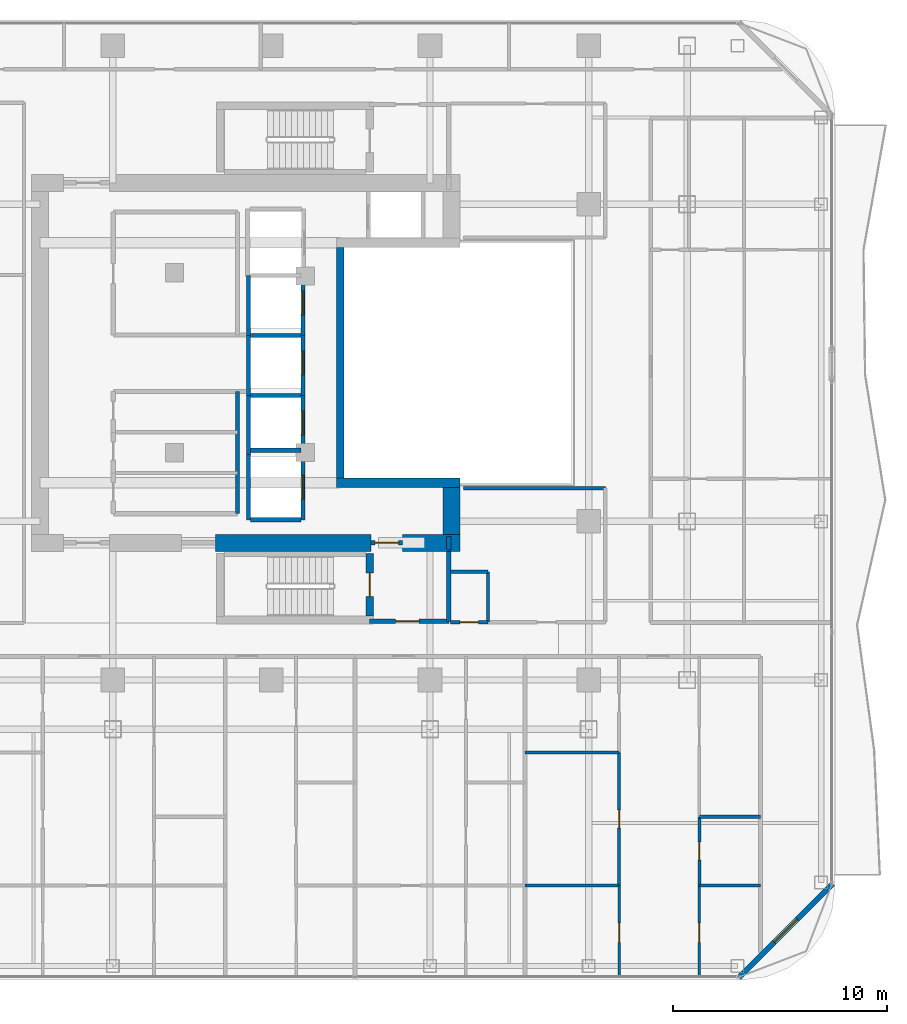
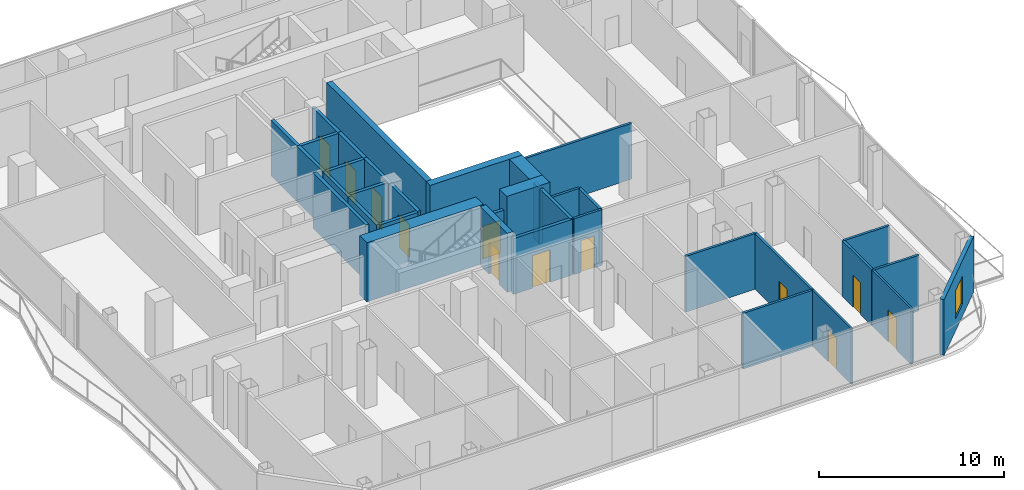
# One storey, part 21 of 26: 36 walls, 12 doors, 1 window, 13 openings.
"""IFC4 building model written with IfcOpenShell, lengths in metres."""

from ifc_helpers import new_model, si_unit, direction, frame, frame_2d, origin, place, context, subcontext, project, spatial, rectangle, extrude, material, layer, layer_set, type_object, element, fill, save


model = new_model("IFC4")

# Units and contexts
model_context = context("Model", 3, precision=1e-05, world=origin(), true_north=direction((0.0, 1.0)))
body_context = subcontext(model_context, "Body", "Model", "MODEL_VIEW")
ifc_project = project(units=[si_unit("LENGTHUNIT", "METRE"), si_unit("AREAUNIT", "SQUARE_METRE"), si_unit("VOLUMEUNIT", "CUBIC_METRE"), si_unit("PLANEANGLEUNIT", "RADIAN"), si_unit("MASSUNIT", "GRAM", prefix="KILO")], contexts=[model_context])

# Site, building, storey
site_placement = place(None, origin())
site = spatial("IfcSite", under=ifc_project, at=site_placement, CompositionType="ELEMENT")
building_placement = place(site_placement, origin())
building = spatial("IfcBuilding", under=site, at=building_placement, Name="Khorvyn Point Tower", CompositionType="ELEMENT")
storey_placement = place(building_placement, frame((0.0, 0.0, 223.5)))
storey = spatial("IfcBuildingStorey", under=building, at=storey_placement, Name="L55", CompositionType="ELEMENT", Elevation=223.5)

# Wall, opening, window
ifc_material_1 = material(Name="Pale anodised aluminium rainscreen on steel stud", Category="steel")
ifc_layer_1 = layer(ifc_material_1, 0.239990234375)
ifc_layer_set_1 = layer_set([ifc_layer_1], Name="Anodised Aluminium Insulated Corner Spandrel Wall 240")
wall_type_1 = type_object("IfcWallType", Name="Anodised Aluminium Insulated Corner Spandrel Wall 240", PredefinedType="SOLIDWALL", material=ifc_layer_set_1)
wall_1_placement = place(storey_placement, frame((26.1923828125, -24.3076171875, 0.0), z_axis=(0.0, 0.0, 1.0), x_axis=(-0.707106781187, -0.707106781187, 0.0)))
wall_1 = element("IfcWall", 1, at=wall_1_placement, inside=storey, type_object=wall_type_1, Name="L55 Rounded Corner Wall SE", PredefinedType="SOLIDWALL", context=body_context, shape_type="SweptSolid", body=[
    extrude(rectangle(XDim=6.200927734375, YDim=0.239990234375, at=frame_2d((3.1005859375, 0.0))), origin(), (0.0, 0.0, 1.0), 3.679931640625),
])
opening_1_placement = place(wall_1_placement, frame((2.3505859375, 0.0, 0.800048828125)))
opening_1 = element("IfcOpeningElement", 2, at=opening_1_placement, cuts=wall_1, Name="Opening WN-1518", PredefinedType="OPENING", context=body_context, shape_type="SweptSolid", body=[
    extrude(rectangle(XDim=1.5, YDim=1.85009765625, at=frame_2d((0.75, 0.925048828125))), frame((0.0, 0.1298828125, 0.0), z_axis=(0.0, -1.0, 0.0), x_axis=(1.0, 0.0, 0.0)), (0.0, 0.0, 1.0), 0.260009765625),
])
ifc_material_2 = material(Name="Anodised aluminium 6063-T6 and laminated Low-E glass", Category="aluminium")
window_type = type_object("IfcWindowType", Name="Anodised Aluminium Rounded-Corner Panoramic Window 1500x1850", PartitioningType="SINGLE_PANEL", PredefinedType="WINDOW", material=ifc_material_2)
window_placement = place(opening_1_placement, origin())
window = element("IfcWindow", 3, at=window_placement, inside=storey, type_object=window_type, Name="L55 Corner Panoramic Window SE", OverallHeight=1.85009765625, OverallWidth=1.5, PartitioningType="SINGLE_PANEL", PredefinedType="WINDOW", context=body_context, shape_type="SweptSolid", body=[
    extrude(rectangle(XDim=1.5, YDim=1.85009765625, at=frame_2d((0.75, 0.925048828125))), frame((0.0, 0.030029296875, 0.0), z_axis=(0.0, -1.0, 0.0), x_axis=(1.0, 0.0, 0.0)), (0.0, 0.0, 1.0), 0.06005859375),
])
fill(opening_1, window)

# Wall
ifc_material_3 = material(Name="Concrete C40/50", Category="concrete")
ifc_layer_2 = layer(ifc_material_3, 0.449951171875)
ifc_layer_set_2 = layer_set([ifc_layer_2], Name="Concrete C40/50 Core Shear Wall 450")
wall_type_2 = type_object("IfcWallType", Name="Concrete C40/50 Core Shear Wall 450", PredefinedType="SHEAR", material=ifc_layer_set_2)
wall_2_placement = place(storey_placement, frame((3.044921875, -5.60009765625, 0.0), z_axis=(0.0, 0.0, 1.0), x_axis=(1.0, 0.0, 0.0)))
element("IfcWall", 4, at=wall_2_placement, inside=storey, type_object=wall_type_2, Name="Wall", PredefinedType="SHEAR", context=body_context, shape_type="SweptSolid", body=[
    extrude(rectangle(XDim=5.755126953125, YDim=0.449951171875, at=frame_2d((2.87744140625, 0.0))), origin(), (0.0, 0.0, 1.0), 3.89990234375),
])

# Wall, opening, door
ifc_layer_3 = layer(ifc_material_3, 0.199951171875)
ifc_layer_set_3 = layer_set([ifc_layer_3], Name="Concrete C40/50 Fire-Lobby Compartment Wall 200")
wall_type_3 = type_object("IfcWallType", Name="Concrete C40/50 Fire-Lobby Compartment Wall 200", PredefinedType="SOLIDWALL", material=ifc_layer_set_3)
wall_3_placement = place(storey_placement, frame((4.580078125, -12.06005859375, 0.0), z_axis=(0.0, 0.0, 1.0), x_axis=(1.0, 0.0, 0.0)))
wall_3 = element("IfcWall", 5, at=wall_3_placement, inside=storey, type_object=wall_type_3, Name="Wall", PredefinedType="SOLIDWALL", context=body_context, shape_type="SweptSolid", body=[
    extrude(rectangle(XDim=3.699951171875, YDim=0.199951171875, at=frame_2d((1.85009765625, 0.0))), origin(), (0.0, 0.0, 1.0), 3.679931640625),
])
opening_2_placement = place(wall_3_placement, frame((1.21240234375, 0.0, 0.0)))
opening_2 = element("IfcOpeningElement", 6, at=opening_2_placement, cuts=wall_3, Name="Opening ID-FL90", PredefinedType="OPENING", context=body_context, shape_type="SweptSolid", body=[
    extrude(rectangle(XDim=1.10009765625, YDim=2.14990234375, at=frame_2d((0.550048828125, 1.074951171875))), frame((0.0, 0.10986328125, 0.0), z_axis=(0.0, -1.0, 0.0), x_axis=(1.0, 0.0, 0.0)), (0.0, 0.0, 1.0), 0.219970703125),
])
ifc_material_4 = material(Name="Galvanised powder-coated steel", Category="steel")
door_type_1 = type_object("IfcDoorType", Name="Fire-Rated Steel Lobby and Stair Door 1100x2150", OperationType="NOTDEFINED", PredefinedType="DOOR", material=ifc_material_4)
door_1_placement = place(opening_2_placement, origin())
door_1 = element("IfcDoor", 7, at=door_1_placement, inside=storey, type_object=door_type_1, Name="Door", OperationType="SINGLE_SWING_LEFT", OverallHeight=2.14990234375, OverallWidth=1.10009765625, PredefinedType="DOOR", context=body_context, shape_type="SweptSolid", body=[
    extrude(rectangle(XDim=1.10009765625, YDim=2.14990234375, at=frame_2d((0.550048828125, 1.074951171875))), frame((0.0, 0.02490234375, 0.0), z_axis=(0.0, -1.0, 0.0), x_axis=(1.0, 0.0, 0.0)), (0.0, 0.0, 1.0), 0.050048828125),
])
fill(opening_2, door_1)

wall_4_placement = place(storey_placement, frame((4.64990234375, -8.39990234375, 0.0), z_axis=(0.0, 0.0, 1.0), x_axis=(1.0, 0.0, 0.0)))
wall_4 = element("IfcWall", 8, at=wall_4_placement, inside=storey, type_object=wall_type_3, Name="Wall", PredefinedType="SOLIDWALL", context=body_context, shape_type="SweptSolid", body=[
    extrude(rectangle(XDim=1.47021484375, YDim=0.199951171875, at=frame_2d((0.735107421875, 0.0))), origin(), (0.0, 0.0, 1.0), 2.820068359375),
])
opening_3_placement = place(wall_4_placement, frame((0.18505859375, 0.0, 0.0)))
opening_3 = element("IfcOpeningElement", 9, at=opening_3_placement, cuts=wall_4, Name="Opening ID-FL90", PredefinedType="OPENING", context=body_context, shape_type="SweptSolid", body=[
    extrude(rectangle(XDim=1.10009765625, YDim=2.14990234375, at=frame_2d((0.550048828125, 1.074951171875))), frame((0.0, 0.10986328125, 0.0), z_axis=(0.0, -1.0, 0.0), x_axis=(1.0, 0.0, 0.0)), (0.0, 0.0, 1.0), 0.219970703125),
])
door_2_placement = place(opening_3_placement, origin())
door_2 = element("IfcDoor", 10, at=door_2_placement, inside=storey, type_object=door_type_1, Name="Door", OperationType="SINGLE_SWING_RIGHT", OverallHeight=2.14990234375, OverallWidth=1.10009765625, PredefinedType="DOOR", context=body_context, shape_type="SweptSolid", body=[
    extrude(rectangle(XDim=1.10009765625, YDim=2.14990234375, at=frame_2d((0.550048828125, 1.074951171875))), frame((0.0, 0.02490234375, 0.0), z_axis=(0.0, -1.0, 0.0), x_axis=(1.0, 0.0, 0.0)), (0.0, 0.0, 1.0), 0.050048828125),
])
fill(opening_3, door_2)

# Walls
wall_5_placement = place(storey_placement, frame((8.280029296875, -12.06005859375, 0.0), z_axis=(0.0, 0.0, 1.0), x_axis=(0.0, 1.0, 0.0)))
element("IfcWall", 11, at=wall_5_placement, inside=storey, type_object=wall_type_3, Name="Wall", PredefinedType="SOLIDWALL", context=body_context, shape_type="SweptSolid", body=[
    extrude(rectangle(XDim=3.260009765625, YDim=0.199951171875, at=frame_2d((1.6298828125, 0.0))), origin(), (0.0, 0.0, 1.0), 3.679931640625),
])
wall_6_placement = place(storey_placement, frame((-1.580078125, -7.0400390625, 0.0), z_axis=(0.0, 0.0, 1.0), x_axis=(0.0, 1.0, 0.0)))
element("IfcWall", 12, at=wall_6_placement, inside=storey, type_object=wall_type_3, Name="Wall", PredefinedType="SOLIDWALL", context=body_context, shape_type="SweptSolid", body=[
    extrude(rectangle(XDim=5.699951171875, YDim=0.199951171875, at=frame_2d((2.85009765625, 0.0))), origin(), (0.0, 0.0, 1.0), 3.679931640625),
])
wall_7_placement = place(storey_placement, frame((8.280029296875, -8.72509765625, 0.0), z_axis=(0.0, 0.0, 1.0), x_axis=(0.0, 1.0, 0.0)))
element("IfcWall", 13, at=wall_7_placement, inside=storey, type_object=wall_type_3, Name="Wall", PredefinedType="SOLIDWALL", context=body_context, shape_type="SweptSolid", body=[
    extrude(rectangle(XDim=0.625, YDim=0.199951171875, at=frame_2d((0.3125, 0.0))), origin(), (0.0, 0.0, 1.0), 3.679931640625),
])
ifc_layer_4 = layer(ifc_material_3, 0.35009765625)
ifc_layer_set_4 = layer_set([ifc_layer_4], Name="Concrete C40/50 Stair Shaft Structural Wall 350")
wall_type_4 = type_object("IfcWallType", Name="Concrete C40/50 Stair Shaft Structural Wall 350", PredefinedType="SHEAR", material=ifc_layer_set_4)
wall_8_placement = place(storey_placement, frame((3.219970703125, -5.375, 0.0), z_axis=(0.0, 0.0, 1.0), x_axis=(0.0, 1.0, 0.0)))
element("IfcWall", 14, at=wall_8_placement, inside=storey, type_object=wall_type_4, Name="Wall", PredefinedType="SHEAR", context=body_context, shape_type="SweptSolid", body=[
    extrude(rectangle(XDim=10.75, YDim=0.35009765625, at=frame_2d((5.375, 0.0))), origin(), (0.0, 0.0, 1.0), 3.89990234375),
])

# Wall, opening, door
wall_9_placement = place(storey_placement, frame((4.580078125, -8.89990234375, 0.0), z_axis=(0.0, 0.0, 1.0), x_axis=(0.0, -1.0, 0.0)))
wall_9 = element("IfcWall", 15, at=wall_9_placement, inside=storey, type_object=wall_type_4, Name="L55 ST-01 East Landing Door Wall", PredefinedType="SHEAR", context=body_context, shape_type="SweptSolid", body=[
    extrude(rectangle(XDim=2.925048828125, YDim=0.35009765625, at=frame_2d((1.46240234375, 0.0))), origin(), (0.0, 0.0, 1.0), 3.89990234375),
])
opening_4_placement = place(wall_9_placement, frame((0.91259765625, 0.0, 0.0)))
opening_4 = element("IfcOpeningElement", 16, at=opening_4_placement, cuts=wall_9, Name="Opening ID-FL90", PredefinedType="OPENING", context=body_context, shape_type="SweptSolid", body=[
    extrude(rectangle(XDim=1.10009765625, YDim=2.14990234375, at=frame_2d((0.550048828125, 1.074951171875))), frame((0.0, 0.18505859375, 0.0), z_axis=(0.0, -1.0, 0.0), x_axis=(1.0, 0.0, 0.0)), (0.0, 0.0, 1.0), 0.3701171875),
])
door_3_placement = place(opening_4_placement, origin())
door_3 = element("IfcDoor", 17, at=door_3_placement, inside=storey, type_object=door_type_1, Name="L55 ST-01 Smokeproof Landing Door", OperationType="SINGLE_SWING_LEFT", OverallHeight=2.14990234375, OverallWidth=1.10009765625, PredefinedType="DOOR", context=body_context, shape_type="SweptSolid", body=[
    extrude(rectangle(XDim=1.10009765625, YDim=2.14990234375, at=frame_2d((0.550048828125, 1.074951171875))), frame((0.0, 0.02490234375, 0.0), z_axis=(0.0, -1.0, 0.0), x_axis=(1.0, 0.0, 0.0)), (0.0, 0.0, 1.0), 0.050048828125),
])
fill(opening_4, door_3)

# Wall
ifc_layer_5 = layer(ifc_material_3, 0.199951171875)
ifc_layer_set_5 = layer_set([ifc_layer_5], Name="Concrete C40/50 Structural Hoistway and Stair Shaft Wall 200")
wall_type_5 = type_object("IfcWallType", Name="Concrete C40/50 Structural Hoistway and Stair Shaft Wall 200", PredefinedType="SHEAR", material=ifc_layer_set_5)
wall_10_placement = place(storey_placement, frame((-1.074951171875, -4.27490234375, 0.0), z_axis=(0.0, 0.0, 1.0), x_axis=(0.0, 1.0, 0.0)))
element("IfcWall", 18, at=wall_10_placement, inside=storey, type_object=wall_type_5, Name="Wall", PredefinedType="SHEAR", context=body_context, shape_type="SweptSolid", body=[
    extrude(rectangle(XDim=2.75, YDim=0.199951171875, at=frame_2d((1.375, 0.0))), origin(), (0.0, 0.0, 1.0), 3.679931640625),
])

# Wall, opening, door
wall_11_placement = place(storey_placement, frame((1.47509765625, -4.27490234375, 0.0), z_axis=(0.0, 0.0, 1.0), x_axis=(0.0, 1.0, 0.0)))
wall_11 = element("IfcWall", 19, at=wall_11_placement, inside=storey, type_object=wall_type_5, Name="Wall", PredefinedType="SHEAR", context=body_context, shape_type="SweptSolid", body=[
    extrude(rectangle(XDim=2.75, YDim=0.199951171875, at=frame_2d((1.375, 0.0))), origin(), (0.0, 0.0, 1.0), 3.679931640625),
])
opening_5_placement = place(wall_11_placement, frame((0.925048828125, 0.0, 0.0)))
opening_5 = element("IfcOpeningElement", 20, at=opening_5_placement, cuts=wall_11, Name="Opening LD-1122", PredefinedType="OPENING", context=body_context, shape_type="SweptSolid", body=[
    extrude(rectangle(XDim=1.10009765625, YDim=2.199951171875, at=frame_2d((0.550048828125, 1.10009765625))), frame((0.0, 0.10986328125, 0.0), z_axis=(0.0, -1.0, 0.0), x_axis=(1.0, 0.0, 0.0)), (0.0, 0.0, 1.0), 0.219970703125),
])
ifc_material_5 = material(Name="Stainless steel 1.4301", Category="steel")
door_type_2 = type_object("IfcDoorType", Name="Stainless Steel Automatic Sliding Lift Landing Door 1100x2200", OperationType="SLIDING_TO_LEFT", PredefinedType="DOOR", material=ifc_material_5)
door_4_placement = place(opening_5_placement, origin())
door_4 = element("IfcDoor", 21, at=door_4_placement, inside=storey, type_object=door_type_2, Name="L55 RH-01 Sliding Lift Landing Door", OperationType="SLIDING_TO_LEFT", OverallHeight=2.199951171875, OverallWidth=1.10009765625, PredefinedType="DOOR", context=body_context, shape_type="SweptSolid", body=[
    extrude(rectangle(XDim=1.10009765625, YDim=2.199951171875, at=frame_2d((0.550048828125, 1.10009765625))), frame((0.0, 0.02490234375, 0.0), z_axis=(0.0, -1.0, 0.0), x_axis=(1.0, 0.0, 0.0)), (0.0, 0.0, 1.0), 0.050048828125),
])
fill(opening_5, door_4)

# Walls
for number, where, z_axis, x_axis, name in (
    (22, (-0.97509765625, -4.074951171875, 0.0), (0.0, 0.0, 1.0), (1.0, 0.0, 0.0), "Wall"),
    (23, (-0.97509765625, -1.52490234375, 0.0), (0.0, 0.0, 1.0), (1.0, 0.0, 0.0), "Wall"),
):
    element("IfcWall", number, at=place(storey_placement, frame(where, z_axis=z_axis, x_axis=x_axis)), inside=storey, type_object=wall_type_5, Name=name, PredefinedType="SHEAR", context=body_context, shape_type="SweptSolid", body=[
        extrude(rectangle(XDim=2.35009765625, YDim=0.199951171875, at=frame_2d((1.175048828125, 0.0))), origin(), (0.0, 0.0, 1.0), 3.679931640625),
    ])
wall_12_placement = place(storey_placement, frame((-1.074951171875, -1.52490234375, 0.0), z_axis=(0.0, 0.0, 1.0), x_axis=(0.0, 1.0, 0.0)))
element("IfcWall", 24, at=wall_12_placement, inside=storey, type_object=wall_type_5, Name="Wall", PredefinedType="SHEAR", context=body_context, shape_type="SweptSolid", body=[
    extrude(rectangle(XDim=2.7998046875, YDim=0.199951171875, at=frame_2d((1.39990234375, 0.0))), origin(), (0.0, 0.0, 1.0), 3.679931640625),
])

# Wall, opening, door
wall_13_placement = place(storey_placement, frame((1.47509765625, -1.52490234375, 0.0), z_axis=(0.0, 0.0, 1.0), x_axis=(0.0, 1.0, 0.0)))
wall_13 = element("IfcWall", 25, at=wall_13_placement, inside=storey, type_object=wall_type_5, Name="Wall", PredefinedType="SHEAR", context=body_context, shape_type="SweptSolid", body=[
    extrude(rectangle(XDim=2.7998046875, YDim=0.199951171875, at=frame_2d((1.39990234375, 0.0))), origin(), (0.0, 0.0, 1.0), 3.679931640625),
])
opening_6_placement = place(wall_13_placement, frame((0.97509765625, 0.0, 0.0)))
opening_6 = element("IfcOpeningElement", 26, at=opening_6_placement, cuts=wall_13, Name="Opening LD-1122", PredefinedType="OPENING", context=body_context, shape_type="SweptSolid", body=[
    extrude(rectangle(XDim=1.10009765625, YDim=2.199951171875, at=frame_2d((0.550048828125, 1.10009765625))), frame((0.0, 0.10986328125, 0.0), z_axis=(0.0, -1.0, 0.0), x_axis=(1.0, 0.0, 0.0)), (0.0, 0.0, 1.0), 0.219970703125),
])
door_5_placement = place(opening_6_placement, origin())
door_5 = element("IfcDoor", 27, at=door_5_placement, inside=storey, type_object=door_type_2, Name="L55 RH-02 Sliding Lift Landing Door", OperationType="SLIDING_TO_LEFT", OverallHeight=2.199951171875, OverallWidth=1.10009765625, PredefinedType="DOOR", context=body_context, shape_type="SweptSolid", body=[
    extrude(rectangle(XDim=1.10009765625, YDim=2.199951171875, at=frame_2d((0.550048828125, 1.10009765625))), frame((0.0, 0.02490234375, 0.0), z_axis=(0.0, -1.0, 0.0), x_axis=(1.0, 0.0, 0.0)), (0.0, 0.0, 1.0), 0.050048828125),
])
fill(opening_6, door_5)

# Walls
wall_14_placement = place(storey_placement, frame((-0.97509765625, 1.27490234375, 0.0), z_axis=(0.0, 0.0, 1.0), x_axis=(1.0, 0.0, 0.0)))
element("IfcWall", 28, at=wall_14_placement, inside=storey, type_object=wall_type_5, Name="Wall", PredefinedType="SHEAR", context=body_context, shape_type="SweptSolid", body=[
    extrude(rectangle(XDim=2.35009765625, YDim=0.199951171875, at=frame_2d((1.175048828125, 0.0))), origin(), (0.0, 0.0, 1.0), 3.679931640625),
])
wall_15_placement = place(storey_placement, frame((-1.074951171875, 1.27490234375, 0.0), z_axis=(0.0, 0.0, 1.0), x_axis=(0.0, 1.0, 0.0)))
element("IfcWall", 29, at=wall_15_placement, inside=storey, type_object=wall_type_5, Name="Wall", PredefinedType="SHEAR", context=body_context, shape_type="SweptSolid", body=[
    extrude(rectangle(XDim=2.800048828125, YDim=0.199951171875, at=frame_2d((1.39990234375, 0.0))), origin(), (0.0, 0.0, 1.0), 3.679931640625),
])

# Wall, opening, door
wall_16_placement = place(storey_placement, frame((1.47509765625, 1.27490234375, 0.0), z_axis=(0.0, 0.0, 1.0), x_axis=(0.0, 1.0, 0.0)))
wall_16 = element("IfcWall", 30, at=wall_16_placement, inside=storey, type_object=wall_type_5, Name="Wall", PredefinedType="SHEAR", context=body_context, shape_type="SweptSolid", body=[
    extrude(rectangle(XDim=2.800048828125, YDim=0.199951171875, at=frame_2d((1.39990234375, 0.0))), origin(), (0.0, 0.0, 1.0), 3.679931640625),
])
opening_7_placement = place(wall_16_placement, frame((0.97509765625, 0.0, 0.0)))
opening_7 = element("IfcOpeningElement", 31, at=opening_7_placement, cuts=wall_16, Name="Opening LD-1122", PredefinedType="OPENING", context=body_context, shape_type="SweptSolid", body=[
    extrude(rectangle(XDim=1.10009765625, YDim=2.199951171875, at=frame_2d((0.550048828125, 1.10009765625))), frame((0.0, 0.10986328125, 0.0), z_axis=(0.0, -1.0, 0.0), x_axis=(1.0, 0.0, 0.0)), (0.0, 0.0, 1.0), 0.219970703125),
])
door_6_placement = place(opening_7_placement, origin())
door_6 = element("IfcDoor", 32, at=door_6_placement, inside=storey, type_object=door_type_2, Name="L55 RH-03 Sliding Lift Landing Door", OperationType="SLIDING_TO_LEFT", OverallHeight=2.199951171875, OverallWidth=1.10009765625, PredefinedType="DOOR", context=body_context, shape_type="SweptSolid", body=[
    extrude(rectangle(XDim=1.10009765625, YDim=2.199951171875, at=frame_2d((0.550048828125, 1.10009765625))), frame((0.0, 0.02490234375, 0.0), z_axis=(0.0, -1.0, 0.0), x_axis=(1.0, 0.0, 0.0)), (0.0, 0.0, 1.0), 0.050048828125),
])
fill(opening_7, door_6)

# Wall
wall_17_placement = place(storey_placement, frame((-1.074951171875, -7.324951171875, 0.0), z_axis=(0.0, 0.0, 1.0), x_axis=(0.0, 1.0, 0.0)))
element("IfcWall", 33, at=wall_17_placement, inside=storey, type_object=wall_type_5, Name="Wall", PredefinedType="SHEAR", context=body_context, shape_type="SweptSolid", body=[
    extrude(rectangle(XDim=3.050048828125, YDim=0.199951171875, at=frame_2d((1.52490234375, 0.0))), origin(), (0.0, 0.0, 1.0), 3.679931640625),
])

# Wall, opening, door
wall_18_placement = place(storey_placement, frame((1.47509765625, -7.324951171875, 0.0), z_axis=(0.0, 0.0, 1.0), x_axis=(0.0, 1.0, 0.0)))
wall_18 = element("IfcWall", 34, at=wall_18_placement, inside=storey, type_object=wall_type_5, Name="Wall", PredefinedType="SHEAR", context=body_context, shape_type="SweptSolid", body=[
    extrude(rectangle(XDim=3.050048828125, YDim=0.199951171875, at=frame_2d((1.52490234375, 0.0))), origin(), (0.0, 0.0, 1.0), 3.679931640625),
])
opening_8_placement = place(wall_18_placement, frame((0.97509765625, 0.0, 0.0)))
opening_8 = element("IfcOpeningElement", 35, at=opening_8_placement, cuts=wall_18, Name="Opening LD-1122", PredefinedType="OPENING", context=body_context, shape_type="SweptSolid", body=[
    extrude(rectangle(XDim=1.10009765625, YDim=2.199951171875, at=frame_2d((0.550048828125, 1.10009765625))), frame((0.0, 0.10986328125, 0.0), z_axis=(0.0, -1.0, 0.0), x_axis=(1.0, 0.0, 0.0)), (0.0, 0.0, 1.0), 0.219970703125),
])
door_7_placement = place(opening_8_placement, origin())
door_7 = element("IfcDoor", 36, at=door_7_placement, inside=storey, type_object=door_type_2, Name="L55 FF-01 Sliding Lift Landing Door", OperationType="SLIDING_TO_LEFT", OverallHeight=2.199951171875, OverallWidth=1.10009765625, PredefinedType="DOOR", context=body_context, shape_type="SweptSolid", body=[
    extrude(rectangle(XDim=1.10009765625, YDim=2.199951171875, at=frame_2d((0.550048828125, 1.10009765625))), frame((0.0, 0.02490234375, 0.0), z_axis=(0.0, -1.0, 0.0), x_axis=(1.0, 0.0, 0.0)), (0.0, 0.0, 1.0), 0.050048828125),
])
fill(opening_8, door_7)

# Walls
wall_19_placement = place(storey_placement, frame((-0.97509765625, -7.324951171875, 0.0), z_axis=(0.0, 0.0, 1.0), x_axis=(1.0, 0.0, 0.0)))
element("IfcWall", 37, at=wall_19_placement, inside=storey, type_object=wall_type_5, Name="Wall", PredefinedType="SHEAR", context=body_context, shape_type="SweptSolid", body=[
    extrude(rectangle(XDim=2.35009765625, YDim=0.199951171875, at=frame_2d((1.175048828125, 0.0))), origin(), (0.0, 0.0, 1.0), 3.679931640625),
])
ifc_material_6 = material(Name="Concrete C45/55", Category="concrete")
ifc_layer_6 = layer(ifc_material_6, 0.800048828125)
ifc_layer_set_6 = layer_set([ifc_layer_6], Name="Concrete C45/55 Core Shear Wall 800")
wall_type_6 = type_object("IfcWallType", Name="Concrete C45/55 Core Shear Wall 800", PredefinedType="SHEAR", material=ifc_layer_set_6)
wall_20_placement = place(storey_placement, frame((-2.6201171875, -8.39990234375, 0.0), z_axis=(0.0, 0.0, 1.0), x_axis=(1.0, 0.0, 0.0)))
element("IfcWall", 38, at=wall_20_placement, inside=storey, type_object=wall_type_6, Name="Wall", PredefinedType="SHEAR", context=body_context, shape_type="SweptSolid", body=[
    extrude(rectangle(XDim=7.27001953125, YDim=0.800048828125, at=frame_2d((3.635009765625, 0.0))), origin(), (0.0, 0.0, 1.0), 3.89990234375),
])
wall_21_placement = place(storey_placement, frame((6.1201171875, -8.39990234375, 0.0), z_axis=(0.0, 0.0, 1.0), x_axis=(1.0, 0.0, 0.0)))
element("IfcWall", 39, at=wall_21_placement, inside=storey, type_object=wall_type_6, Name="Wall", PredefinedType="SHEAR", context=body_context, shape_type="SweptSolid", body=[
    extrude(rectangle(XDim=2.679931640625, YDim=0.800048828125, at=frame_2d((1.33984375, 0.0))), origin(), (0.0, 0.0, 1.0), 3.89990234375),
])
wall_22_placement = place(storey_placement, frame((8.39990234375, -8.0, 0.0), z_axis=(0.0, 0.0, 1.0), x_axis=(0.0, 1.0, 0.0)))
element("IfcWall", 40, at=wall_22_placement, inside=storey, type_object=wall_type_6, Name="Wall", PredefinedType="SHEAR", context=body_context, shape_type="SweptSolid", body=[
    extrude(rectangle(XDim=2.175048828125, YDim=0.800048828125, at=frame_2d((1.08740234375, 0.0))), origin(), (0.0, 0.0, 1.0), 3.89990234375),
])

# Wall, opening, door
ifc_material_7 = material(Name="Gypsum plasterboard on steel stud", Category="steel")
ifc_layer_7 = layer(ifc_material_7, 0.1201171875)
ifc_layer_set_7 = layer_set([ifc_layer_7], Name="Gypsum Acoustic Stud Room Partition Wall 120")
wall_type_7 = type_object("IfcWallType", Name="Gypsum Acoustic Stud Room Partition Wall 120", PredefinedType="PARTITIONING", material=ifc_layer_set_7)
wall_23_placement = place(storey_placement, frame((16.22412109375, -28.6298828125, 0.0), z_axis=(0.0, 0.0, 1.0), x_axis=(0.0, 1.0, 0.0)))
wall_23 = element("IfcWall", 41, at=wall_23_placement, inside=storey, type_object=wall_type_7, Name="Wall", PredefinedType="PARTITIONING", context=body_context, shape_type="SweptSolid", body=[
    extrude(rectangle(XDim=4.239990234375, YDim=0.1201171875, at=frame_2d((2.1201171875, 0.0))), origin(), (0.0, 0.0, 1.0), 3.679931640625),
])
opening_9_placement = place(wall_23_placement, frame((1.581298828125, 0.0, 0.0)))
opening_9 = element("IfcOpeningElement", 42, at=opening_9_placement, cuts=wall_23, Name="Opening ID-RM90", PredefinedType="OPENING", context=body_context, shape_type="SweptSolid", body=[
    extrude(rectangle(XDim=0.89990234375, YDim=2.10009765625, at=frame_2d((0.449951171875, 1.050048828125))), frame((0.0, 0.070068359375, 0.0), z_axis=(0.0, -1.0, 0.0), x_axis=(1.0, 0.0, 0.0)), (0.0, 0.0, 1.0), 0.14013671875),
])
ifc_material_8 = material(Name="Engineered oak veneer timber", Category="wood")
door_type_3 = type_object("IfcDoorType", Name="Flush Engineered Timber Room Door 900x2100", OperationType="NOTDEFINED", PredefinedType="DOOR", material=ifc_material_8)
door_8_placement = place(opening_9_placement, origin())
door_8 = element("IfcDoor", 43, at=door_8_placement, inside=storey, type_object=door_type_3, Name="Door", OperationType="SINGLE_SWING_LEFT", OverallHeight=2.10009765625, OverallWidth=0.89990234375, PredefinedType="DOOR", context=body_context, shape_type="SweptSolid", body=[
    extrude(rectangle(XDim=0.89990234375, YDim=2.10009765625, at=frame_2d((0.449951171875, 1.050048828125))), frame((0.0, 0.02490234375, 0.0), z_axis=(0.0, -1.0, 0.0), x_axis=(1.0, 0.0, 0.0)), (0.0, 0.0, 1.0), 0.050048828125),
])
fill(opening_9, door_8)

wall_24_placement = place(storey_placement, frame((19.969970703125, -28.6298828125, 0.0), z_axis=(0.0, 0.0, 1.0), x_axis=(0.0, 1.0, 0.0)))
wall_24 = element("IfcWall", 44, at=wall_24_placement, inside=storey, type_object=wall_type_7, Name="Wall", PredefinedType="PARTITIONING", context=body_context, shape_type="SweptSolid", body=[
    extrude(rectangle(XDim=4.239990234375, YDim=0.1201171875, at=frame_2d((2.1201171875, 0.0))), origin(), (0.0, 0.0, 1.0), 3.679931640625),
])
opening_10_placement = place(wall_24_placement, frame((1.581298828125, 0.0, 0.0)))
opening_10 = element("IfcOpeningElement", 45, at=opening_10_placement, cuts=wall_24, Name="Opening ID-RM90", PredefinedType="OPENING", context=body_context, shape_type="SweptSolid", body=[
    extrude(rectangle(XDim=0.89990234375, YDim=2.10009765625, at=frame_2d((0.449951171875, 1.050048828125))), frame((0.0, 0.070068359375, 0.0), z_axis=(0.0, -1.0, 0.0), x_axis=(1.0, 0.0, 0.0)), (0.0, 0.0, 1.0), 0.14013671875),
])
door_9_placement = place(opening_10_placement, origin())
door_9 = element("IfcDoor", 46, at=door_9_placement, inside=storey, type_object=door_type_3, Name="Door", OperationType="SINGLE_SWING_RIGHT", OverallHeight=2.10009765625, OverallWidth=0.89990234375, PredefinedType="DOOR", context=body_context, shape_type="SweptSolid", body=[
    extrude(rectangle(XDim=0.89990234375, YDim=2.10009765625, at=frame_2d((0.449951171875, 1.050048828125))), frame((0.0, 0.02490234375, 0.0), z_axis=(0.0, -1.0, 0.0), x_axis=(1.0, 0.0, 0.0)), (0.0, 0.0, 1.0), 0.050048828125),
])
fill(opening_10, door_9)

ifc_material_9 = material(Name="Moisture-resistant gypsum and cement board", Category="gypsum")
ifc_layer_8 = layer(ifc_material_9, 0.14990234375)
ifc_layer_set_8 = layer_set([ifc_layer_8], Name="Moisture-Resistant Wet-Room Partition Wall 150")
wall_type_8 = type_object("IfcWallType", Name="Moisture-Resistant Wet-Room Partition Wall 150", PredefinedType="PARTITIONING", material=ifc_layer_set_8)
wall_25_placement = place(storey_placement, frame((8.360107421875, -12.10009765625, 0.0), z_axis=(0.0, 0.0, 1.0), x_axis=(1.0, 0.0, 0.0)))
wall_25 = element("IfcWall", 47, at=wall_25_placement, inside=storey, type_object=wall_type_8, Name="Wall", PredefinedType="PARTITIONING", context=body_context, shape_type="SweptSolid", body=[
    extrude(rectangle(XDim=1.739990234375, YDim=0.14990234375, at=frame_2d((0.8701171875, 0.0))), origin(), (0.0, 0.0, 1.0), 3.679931640625),
])
opening_11_placement = place(wall_25_placement, frame((0.445068359375, 0.0, 0.0)))
opening_11 = element("IfcOpeningElement", 48, at=opening_11_placement, cuts=wall_25, Name="Opening ID-WC85", PredefinedType="OPENING", context=body_context, shape_type="SweptSolid", body=[
    extrude(rectangle(XDim=0.85009765625, YDim=2.10009765625, at=frame_2d((0.425048828125, 1.050048828125))), frame((0.0, 0.0849609375, 0.0), z_axis=(0.0, -1.0, 0.0), x_axis=(1.0, 0.0, 0.0)), (0.0, 0.0, 1.0), 0.169921875),
])
ifc_material_10 = material(Name="High-pressure laminate on moisture-resistant core", Category="wood")
door_type_4 = type_object("IfcDoorType", Name="Moisture-Resistant Accessible Washroom Door 850x2100", OperationType="NOTDEFINED", PredefinedType="DOOR", material=ifc_material_10)
door_10_placement = place(opening_11_placement, origin())
door_10 = element("IfcDoor", 49, at=door_10_placement, inside=storey, type_object=door_type_4, Name="Door", OperationType="SINGLE_SWING_RIGHT", OverallHeight=2.10009765625, OverallWidth=0.85009765625, PredefinedType="DOOR", context=body_context, shape_type="SweptSolid", body=[
    extrude(rectangle(XDim=0.85009765625, YDim=2.10009765625, at=frame_2d((0.425048828125, 1.050048828125))), frame((0.0, 0.02490234375, 0.0), z_axis=(0.0, -1.0, 0.0), x_axis=(1.0, 0.0, 0.0)), (0.0, 0.0, 1.0), 0.050048828125),
])
fill(opening_11, door_10)

wall_26_placement = place(storey_placement, frame((16.22412109375, -24.389892578125, 0.0), z_axis=(0.0, 0.0, 1.0), x_axis=(0.0, 1.0, 0.0)))
wall_26 = element("IfcWall", 50, at=wall_26_placement, inside=storey, type_object=wall_type_8, Name="Wall", PredefinedType="PARTITIONING", context=body_context, shape_type="SweptSolid", body=[
    extrude(rectangle(XDim=6.199951171875, YDim=0.14990234375, at=frame_2d((3.10009765625, 0.0))), origin(), (0.0, 0.0, 1.0), 3.679931640625),
])
opening_12_placement = place(wall_26_placement, frame((2.675048828125, 0.0, 0.0)))
opening_12 = element("IfcOpeningElement", 51, at=opening_12_placement, cuts=wall_26, Name="Opening ID-WC85", PredefinedType="OPENING", context=body_context, shape_type="SweptSolid", body=[
    extrude(rectangle(XDim=0.85009765625, YDim=2.10009765625, at=frame_2d((0.425048828125, 1.050048828125))), frame((0.0, 0.0849609375, 0.0), z_axis=(0.0, -1.0, 0.0), x_axis=(1.0, 0.0, 0.0)), (0.0, 0.0, 1.0), 0.169921875),
])
door_11_placement = place(opening_12_placement, origin())
door_11 = element("IfcDoor", 52, at=door_11_placement, inside=storey, type_object=door_type_4, Name="Door", OperationType="SINGLE_SWING_LEFT", OverallHeight=2.10009765625, OverallWidth=0.85009765625, PredefinedType="DOOR", context=body_context, shape_type="SweptSolid", body=[
    extrude(rectangle(XDim=0.85009765625, YDim=2.10009765625, at=frame_2d((0.425048828125, 1.050048828125))), frame((0.0, 0.02490234375, 0.0), z_axis=(0.0, -1.0, 0.0), x_axis=(1.0, 0.0, 0.0)), (0.0, 0.0, 1.0), 0.050048828125),
])
fill(opening_12, door_11)

wall_27_placement = place(storey_placement, frame((19.969970703125, -24.389892578125, 0.0), z_axis=(0.0, 0.0, 1.0), x_axis=(0.0, 1.0, 0.0)))
wall_27 = element("IfcWall", 53, at=wall_27_placement, inside=storey, type_object=wall_type_8, Name="Wall", PredefinedType="PARTITIONING", context=body_context, shape_type="SweptSolid", body=[
    extrude(rectangle(XDim=3.206787109375, YDim=0.14990234375, at=frame_2d((1.603515625, 0.0))), origin(), (0.0, 0.0, 1.0), 3.679931640625),
])
opening_13_placement = place(wall_27_placement, frame((1.178466796875, 0.0, 0.0)))
opening_13 = element("IfcOpeningElement", 54, at=opening_13_placement, cuts=wall_27, Name="Opening ID-WC85", PredefinedType="OPENING", context=body_context, shape_type="SweptSolid", body=[
    extrude(rectangle(XDim=0.85009765625, YDim=2.10009765625, at=frame_2d((0.425048828125, 1.050048828125))), frame((0.0, 0.0849609375, 0.0), z_axis=(0.0, -1.0, 0.0), x_axis=(1.0, 0.0, 0.0)), (0.0, 0.0, 1.0), 0.169921875),
])
door_12_placement = place(opening_13_placement, origin())
door_12 = element("IfcDoor", 55, at=door_12_placement, inside=storey, type_object=door_type_4, Name="Door", OperationType="SINGLE_SWING_RIGHT", OverallHeight=2.10009765625, OverallWidth=0.85009765625, PredefinedType="DOOR", context=body_context, shape_type="SweptSolid", body=[
    extrude(rectangle(XDim=0.85009765625, YDim=2.10009765625, at=frame_2d((0.425048828125, 1.050048828125))), frame((0.0, 0.02490234375, 0.0), z_axis=(0.0, -1.0, 0.0), x_axis=(1.0, 0.0, 0.0)), (0.0, 0.0, 1.0), 0.050048828125),
])
fill(opening_13, door_12)

# Walls
wall_28_placement = place(storey_placement, frame((8.360107421875, -9.75, 0.0), z_axis=(0.0, 0.0, 1.0), x_axis=(1.0, 0.0, 0.0)))
element("IfcWall", 56, at=wall_28_placement, inside=storey, type_object=wall_type_8, Name="Wall", PredefinedType="PARTITIONING", context=body_context, shape_type="SweptSolid", body=[
    extrude(rectangle(XDim=1.739990234375, YDim=0.14990234375, at=frame_2d((0.8701171875, 0.0))), origin(), (0.0, 0.0, 1.0), 3.679931640625),
])
wall_29_placement = place(storey_placement, frame((10.10009765625, -12.10009765625, 0.0), z_axis=(0.0, 0.0, 1.0), x_axis=(0.0, 1.0, 0.0)))
element("IfcWall", 57, at=wall_29_placement, inside=storey, type_object=wall_type_8, Name="Wall", PredefinedType="PARTITIONING", context=body_context, shape_type="SweptSolid", body=[
    extrude(rectangle(XDim=2.35009765625, YDim=0.14990234375, at=frame_2d((1.175048828125, 0.0))), origin(), (0.0, 0.0, 1.0), 3.679931640625),
])
wall_30_placement = place(storey_placement, frame((8.9599609375, -5.85009765625, 0.0), z_axis=(0.0, 0.0, 1.0), x_axis=(1.0, 0.0, 0.0)))
element("IfcWall", 58, at=wall_30_placement, inside=storey, type_object=wall_type_8, Name="Wall", PredefinedType="PARTITIONING", context=body_context, shape_type="SweptSolid", body=[
    extrude(rectangle(XDim=6.6201171875, YDim=0.14990234375, at=frame_2d((3.31005859375, 0.0))), origin(), (0.0, 0.0, 1.0), 3.679931640625),
])
for number, where, z_axis, x_axis, name in (
    (59, (11.826904296875, -18.18994140625, 0.0), (0.0, 0.0, 1.0), (1.0, 0.0, 0.0), "Wall"),
    (60, (11.826904296875, -24.389892578125, 0.0), (0.0, 0.0, 1.0), (1.0, 0.0, 0.0), "Wall"),
):
    element("IfcWall", number, at=place(storey_placement, frame(where, z_axis=z_axis, x_axis=x_axis)), inside=storey, type_object=wall_type_8, Name=name, PredefinedType="PARTITIONING", context=body_context, shape_type="SweptSolid", body=[
        extrude(rectangle(XDim=4.397216796875, YDim=0.14990234375, at=frame_2d((2.19873046875, 0.0))), origin(), (0.0, 0.0, 1.0), 3.679931640625),
    ])
for number, where, z_axis, x_axis, name in (
    (61, (19.969970703125, -21.18310546875, 0.0), (0.0, 0.0, 1.0), (1.0, 0.0, 0.0), "Wall"),
    (62, (19.969970703125, -24.389892578125, 0.0), (0.0, 0.0, 1.0), (1.0, 0.0, 0.0), "Wall"),
):
    element("IfcWall", number, at=place(storey_placement, frame(where, z_axis=z_axis, x_axis=x_axis)), inside=storey, type_object=wall_type_8, Name=name, PredefinedType="PARTITIONING", context=body_context, shape_type="SweptSolid", body=[
        extrude(rectangle(XDim=2.85009765625, YDim=0.14990234375, at=frame_2d((1.425048828125, 0.0))), origin(), (0.0, 0.0, 1.0), 3.679931640625),
    ])

save(model, "model.ifc")
